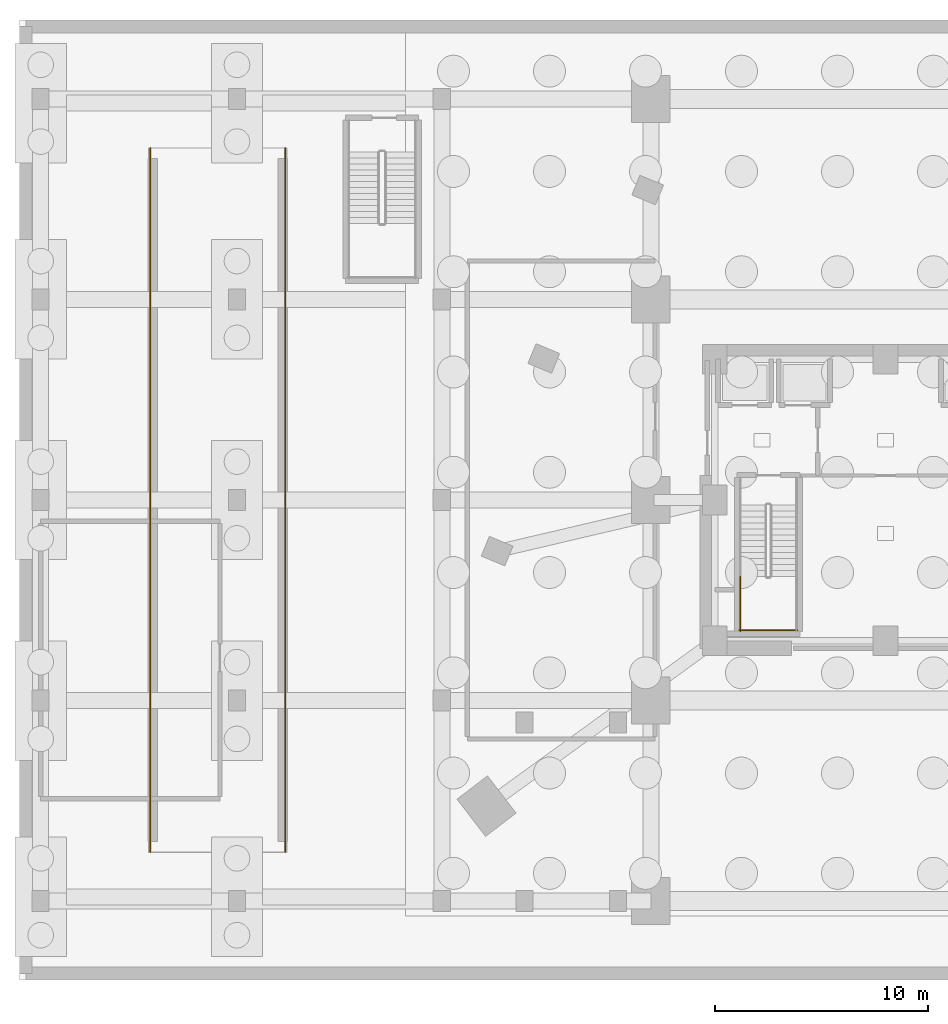
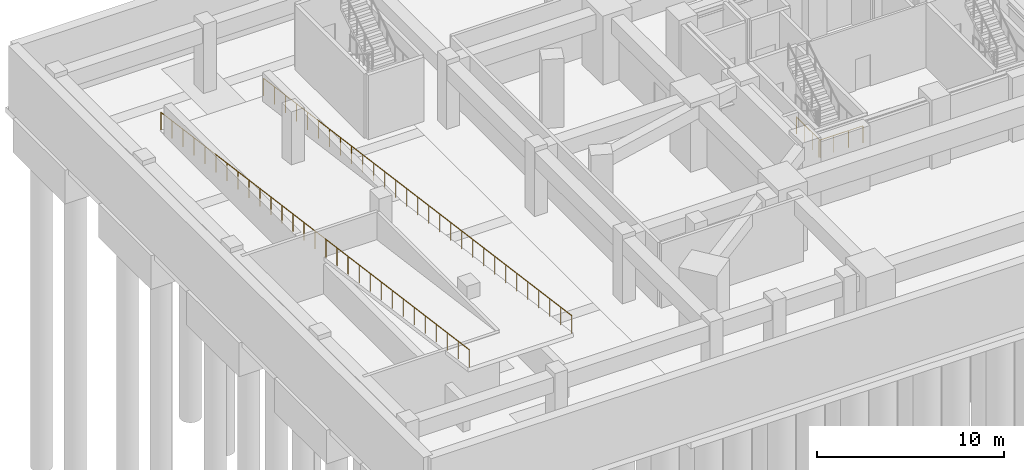
# One storey, part 6 of 10: 4 railings.
"""IFC4 building model written with IfcOpenShell, lengths in metres."""

from ifc_helpers import new_model, si_unit, direction, frame, origin, origin_2d, place, context, subcontext, project, spatial, circle, extrude, material, layer, layer_set, type_object, element, save


model = new_model("IFC4")

# Units and contexts
model_context = context("Model", 3, precision=1e-05, world=origin(), true_north=direction((0.0, 1.0)))
body_context = subcontext(model_context, "Body", "Model", "MODEL_VIEW")
ifc_project = project(units=[si_unit("LENGTHUNIT", "METRE"), si_unit("AREAUNIT", "SQUARE_METRE"), si_unit("VOLUMEUNIT", "CUBIC_METRE"), si_unit("PLANEANGLEUNIT", "RADIAN"), si_unit("MASSUNIT", "GRAM", prefix="KILO")], contexts=[model_context])

# Site, building, storey
site_placement = place(None, origin())
site = spatial("IfcSite", under=ifc_project, at=site_placement, CompositionType="ELEMENT")
building_placement = place(site_placement, origin())
building = spatial("IfcBuilding", under=site, at=building_placement, Name="Ndelora Gate Hotel", CompositionType="ELEMENT")
storey_placement = place(building_placement, frame((0.0, 0.0, -13.5)))
storey = spatial("IfcBuildingStorey", under=building, at=storey_placement, Name="B03", CompositionType="ELEMENT", Elevation=-13.5)

# Railings
ifc_material_1 = material(Name="Galvanized Crash-Rated Steel Guardrail", Category="steel")
ifc_layer_1 = layer(ifc_material_1, 0.080078125)
ifc_layer_set_1 = layer_set([ifc_layer_1], Name="Galvanized Crash-Rated Steel Guardrail")
railing_type_1 = type_object("IfcRailingType", Name="RL-RAMP-GD", PredefinedType="GUARDRAIL", material=ifc_layer_set_1)
railing_1_placement = place(storey_placement, frame((-34.469970703125, 16.5, 0.0)))
element("IfcRailing", 1, at=railing_1_placement, inside=storey, type_object=railing_type_1, Name="Vehicle Ramp R3 Crash Guardrail W", PredefinedType="GUARDRAIL", context=body_context, shape_type="SweptSolid", body=[
    extrude(circle(Radius=0.02392578125, at=origin_2d()), frame((0.0, 0.0, 1.15576171875), z_axis=(0.0, -0.990830168044, 0.135113204733), x_axis=(1.0, 0.0, 0.0)), (0.0, 0.0, 1.0), 33.305419921875),
    extrude(circle(Radius=0.02099609375, at=origin_2d()), origin(), (0.0, 0.0, 1.0), 1.1318359375),
    extrude(circle(Radius=0.02099609375, at=origin_2d()), frame((0.0, -1.178466796875, 0.16064453125)), (0.0, 0.0, 1.0), 1.1318359375),
    extrude(circle(Radius=0.02099609375, at=origin_2d()), frame((0.0, -2.357177734375, 0.321533203125)), (0.0, 0.0, 1.0), 1.1318359375),
    extrude(circle(Radius=0.02099609375, at=origin_2d()), frame((0.0, -3.53564453125, 0.482177734375)), (0.0, 0.0, 1.0), 1.1318359375),
    extrude(circle(Radius=0.02099609375, at=origin_2d()), frame((0.0, -4.71435546875, 0.642822265625)), (0.0, 0.0, 1.0), 1.1318359375),
    extrude(circle(Radius=0.02099609375, at=origin_2d()), frame((0.0, -5.892822265625, 0.803466796875)), (0.0, 0.0, 1.0), 1.1318359375),
    extrude(circle(Radius=0.02099609375, at=origin_2d()), frame((0.0, -7.071533203125, 0.96435546875)), (0.0, 0.0, 1.0), 1.1318359375),
    extrude(circle(Radius=0.02099609375, at=origin_2d()), frame((0.0, -8.25, 1.125)), (0.0, 0.0, 1.0), 1.1318359375),
    extrude(circle(Radius=0.02099609375, at=origin_2d()), frame((0.0, -9.428466796875, 1.28564453125)), (0.0, 0.0, 1.0), 1.1318359375),
    extrude(circle(Radius=0.02099609375, at=origin_2d()), frame((0.0, -10.607177734375, 1.446533203125)), (0.0, 0.0, 1.0), 1.1318359375),
    extrude(circle(Radius=0.02099609375, at=origin_2d()), frame((0.0, -11.78564453125, 1.607177734375)), (0.0, 0.0, 1.0), 1.1318359375),
    extrude(circle(Radius=0.02099609375, at=origin_2d()), frame((0.0, -12.96435546875, 1.767822265625)), (0.0, 0.0, 1.0), 1.1318359375),
    extrude(circle(Radius=0.02099609375, at=origin_2d()), frame((0.0, -14.142822265625, 1.928466796875)), (0.0, 0.0, 1.0), 1.1318359375),
    extrude(circle(Radius=0.02099609375, at=origin_2d()), frame((0.0, -15.321533203125, 2.08935546875)), (0.0, 0.0, 1.0), 1.1318359375),
    extrude(circle(Radius=0.02099609375, at=origin_2d()), frame((0.0, -16.5, 2.25)), (0.0, 0.0, 1.0), 1.1318359375),
    extrude(circle(Radius=0.02099609375, at=origin_2d()), frame((0.0, -17.678466796875, 2.41064453125)), (0.0, 0.0, 1.0), 1.1318359375),
    extrude(circle(Radius=0.02099609375, at=origin_2d()), frame((0.0, -18.857177734375, 2.571533203125)), (0.0, 0.0, 1.0), 1.1318359375),
    extrude(circle(Radius=0.02099609375, at=origin_2d()), frame((0.0, -20.03564453125, 2.732177734375)), (0.0, 0.0, 1.0), 1.1318359375),
    extrude(circle(Radius=0.02099609375, at=origin_2d()), frame((0.0, -21.21435546875, 2.892822265625)), (0.0, 0.0, 1.0), 1.1318359375),
    extrude(circle(Radius=0.02099609375, at=origin_2d()), frame((0.0, -22.392822265625, 3.053466796875)), (0.0, 0.0, 1.0), 1.1318359375),
    extrude(circle(Radius=0.02099609375, at=origin_2d()), frame((0.0, -23.571533203125, 3.21435546875)), (0.0, 0.0, 1.0), 1.1318359375),
    extrude(circle(Radius=0.02099609375, at=origin_2d()), frame((0.0, -24.75, 3.375)), (0.0, 0.0, 1.0), 1.1318359375),
    extrude(circle(Radius=0.02099609375, at=origin_2d()), frame((0.0, -25.928466796875, 3.53564453125)), (0.0, 0.0, 1.0), 1.1318359375),
    extrude(circle(Radius=0.02099609375, at=origin_2d()), frame((0.0, -27.107177734375, 3.696533203125)), (0.0, 0.0, 1.0), 1.1318359375),
    extrude(circle(Radius=0.02099609375, at=origin_2d()), frame((0.0, -28.28564453125, 3.857177734375)), (0.0, 0.0, 1.0), 1.1318359375),
    extrude(circle(Radius=0.02099609375, at=origin_2d()), frame((0.0, -29.46435546875, 4.017822265625)), (0.0, 0.0, 1.0), 1.1318359375),
    extrude(circle(Radius=0.02099609375, at=origin_2d()), frame((0.0, -30.642822265625, 4.178466796875)), (0.0, 0.0, 1.0), 1.1318359375),
    extrude(circle(Radius=0.02099609375, at=origin_2d()), frame((0.0, -31.821533203125, 4.33935546875)), (0.0, 0.0, 1.0), 1.1318359375),
    extrude(circle(Radius=0.02099609375, at=origin_2d()), frame((0.0, -33.0, 4.5)), (0.0, 0.0, 1.0), 1.1318359375),
])
railing_2_placement = place(storey_placement, frame((-28.1298828125, 16.5, 0.0)))
element("IfcRailing", 2, at=railing_2_placement, inside=storey, type_object=railing_type_1, Name="Vehicle Ramp R3 Crash Guardrail E", PredefinedType="GUARDRAIL", context=body_context, shape_type="SweptSolid", body=[
    extrude(circle(Radius=0.02392578125, at=origin_2d()), frame((0.0, 0.0, 1.15576171875), z_axis=(0.0, -0.990830168044, 0.135113204733), x_axis=(1.0, 0.0, 0.0)), (0.0, 0.0, 1.0), 33.305419921875),
    extrude(circle(Radius=0.02099609375, at=origin_2d()), origin(), (0.0, 0.0, 1.0), 1.1318359375),
    extrude(circle(Radius=0.02099609375, at=origin_2d()), frame((0.0, -1.178466796875, 0.16064453125)), (0.0, 0.0, 1.0), 1.1318359375),
    extrude(circle(Radius=0.02099609375, at=origin_2d()), frame((0.0, -2.357177734375, 0.321533203125)), (0.0, 0.0, 1.0), 1.1318359375),
    extrude(circle(Radius=0.02099609375, at=origin_2d()), frame((0.0, -3.53564453125, 0.482177734375)), (0.0, 0.0, 1.0), 1.1318359375),
    extrude(circle(Radius=0.02099609375, at=origin_2d()), frame((0.0, -4.71435546875, 0.642822265625)), (0.0, 0.0, 1.0), 1.1318359375),
    extrude(circle(Radius=0.02099609375, at=origin_2d()), frame((0.0, -5.892822265625, 0.803466796875)), (0.0, 0.0, 1.0), 1.1318359375),
    extrude(circle(Radius=0.02099609375, at=origin_2d()), frame((0.0, -7.071533203125, 0.96435546875)), (0.0, 0.0, 1.0), 1.1318359375),
    extrude(circle(Radius=0.02099609375, at=origin_2d()), frame((0.0, -8.25, 1.125)), (0.0, 0.0, 1.0), 1.1318359375),
    extrude(circle(Radius=0.02099609375, at=origin_2d()), frame((0.0, -9.428466796875, 1.28564453125)), (0.0, 0.0, 1.0), 1.1318359375),
    extrude(circle(Radius=0.02099609375, at=origin_2d()), frame((0.0, -10.607177734375, 1.446533203125)), (0.0, 0.0, 1.0), 1.1318359375),
    extrude(circle(Radius=0.02099609375, at=origin_2d()), frame((0.0, -11.78564453125, 1.607177734375)), (0.0, 0.0, 1.0), 1.1318359375),
    extrude(circle(Radius=0.02099609375, at=origin_2d()), frame((0.0, -12.96435546875, 1.767822265625)), (0.0, 0.0, 1.0), 1.1318359375),
    extrude(circle(Radius=0.02099609375, at=origin_2d()), frame((0.0, -14.142822265625, 1.928466796875)), (0.0, 0.0, 1.0), 1.1318359375),
    extrude(circle(Radius=0.02099609375, at=origin_2d()), frame((0.0, -15.321533203125, 2.08935546875)), (0.0, 0.0, 1.0), 1.1318359375),
    extrude(circle(Radius=0.02099609375, at=origin_2d()), frame((0.0, -16.5, 2.25)), (0.0, 0.0, 1.0), 1.1318359375),
    extrude(circle(Radius=0.02099609375, at=origin_2d()), frame((0.0, -17.678466796875, 2.41064453125)), (0.0, 0.0, 1.0), 1.1318359375),
    extrude(circle(Radius=0.02099609375, at=origin_2d()), frame((0.0, -18.857177734375, 2.571533203125)), (0.0, 0.0, 1.0), 1.1318359375),
    extrude(circle(Radius=0.02099609375, at=origin_2d()), frame((0.0, -20.03564453125, 2.732177734375)), (0.0, 0.0, 1.0), 1.1318359375),
    extrude(circle(Radius=0.02099609375, at=origin_2d()), frame((0.0, -21.21435546875, 2.892822265625)), (0.0, 0.0, 1.0), 1.1318359375),
    extrude(circle(Radius=0.02099609375, at=origin_2d()), frame((0.0, -22.392822265625, 3.053466796875)), (0.0, 0.0, 1.0), 1.1318359375),
    extrude(circle(Radius=0.02099609375, at=origin_2d()), frame((0.0, -23.571533203125, 3.21435546875)), (0.0, 0.0, 1.0), 1.1318359375),
    extrude(circle(Radius=0.02099609375, at=origin_2d()), frame((0.0, -24.75, 3.375)), (0.0, 0.0, 1.0), 1.1318359375),
    extrude(circle(Radius=0.02099609375, at=origin_2d()), frame((0.0, -25.928466796875, 3.53564453125)), (0.0, 0.0, 1.0), 1.1318359375),
    extrude(circle(Radius=0.02099609375, at=origin_2d()), frame((0.0, -27.107177734375, 3.696533203125)), (0.0, 0.0, 1.0), 1.1318359375),
    extrude(circle(Radius=0.02099609375, at=origin_2d()), frame((0.0, -28.28564453125, 3.857177734375)), (0.0, 0.0, 1.0), 1.1318359375),
    extrude(circle(Radius=0.02099609375, at=origin_2d()), frame((0.0, -29.46435546875, 4.017822265625)), (0.0, 0.0, 1.0), 1.1318359375),
    extrude(circle(Radius=0.02099609375, at=origin_2d()), frame((0.0, -30.642822265625, 4.178466796875)), (0.0, 0.0, 1.0), 1.1318359375),
    extrude(circle(Radius=0.02099609375, at=origin_2d()), frame((0.0, -31.821533203125, 4.33935546875)), (0.0, 0.0, 1.0), 1.1318359375),
    extrude(circle(Radius=0.02099609375, at=origin_2d()), frame((0.0, -33.0, 4.5)), (0.0, 0.0, 1.0), 1.1318359375),
])
ifc_material_2 = material(Name="Painted Galvanized Steel Balustrade", Category="steel")
ifc_layer_2 = layer(ifc_material_2, 0.06005859375)
ifc_layer_set_2 = layer_set([ifc_layer_2], Name="Painted Galvanized Steel Balustrade")
railing_type_2 = type_object("IfcRailingType", Name="RL-STAIR-GD", PredefinedType="GUARDRAIL", material=ifc_layer_set_2)
railing_3_placement = place(storey_placement, frame((-6.800048828125, -3.590087890625, 2.25)))
element("IfcRailing", 3, at=railing_3_placement, inside=storey, type_object=railing_type_2, Name="B03 ST4 stair guard 3", PredefinedType="GUARDRAIL", context=body_context, shape_type="SweptSolid", body=[
    extrude(circle(Radius=0.02392578125, at=origin_2d()), frame((0.0, 0.0, 1.10595703125), z_axis=(0.0, -1.0, 0.0), x_axis=(1.0, 0.0, 0.0)), (0.0, 0.0, 1.0), 2.559814453125),
    extrude(circle(Radius=0.02099609375, at=origin_2d()), origin(), (0.0, 0.0, 1.0), 1.081787109375),
    extrude(circle(Radius=0.02099609375, at=origin_2d()), frame((0.0, -0.853271484375, 0.0)), (0.0, 0.0, 1.0), 1.081787109375),
    extrude(circle(Radius=0.02099609375, at=origin_2d()), frame((0.0, -1.70654296875, 0.0)), (0.0, 0.0, 1.0), 1.081787109375),
    extrude(circle(Radius=0.02099609375, at=origin_2d()), frame((0.0, -2.559814453125, 0.0)), (0.0, 0.0, 1.0), 1.081787109375),
])
railing_4_placement = place(storey_placement, frame((-6.85009765625, -6.10009765625, 2.25)))
element("IfcRailing", 4, at=railing_4_placement, inside=storey, type_object=railing_type_2, Name="B03 ST4 stair guard 5", PredefinedType="GUARDRAIL", context=body_context, shape_type="SweptSolid", body=[
    extrude(circle(Radius=0.02392578125, at=origin_2d()), frame((0.0, 0.0, 1.10595703125), z_axis=(1.0, 0.0, 0.0), x_axis=(0.0, 1.0, 0.0)), (0.0, 0.0, 1.0), 2.72021484375),
    extrude(circle(Radius=0.02099609375, at=origin_2d()), origin(), (0.0, 0.0, 1.0), 1.081787109375),
    extrude(circle(Radius=0.02099609375, at=origin_2d()), frame((0.90673828125, 0.0, 0.0)), (0.0, 0.0, 1.0), 1.081787109375),
    extrude(circle(Radius=0.02099609375, at=origin_2d()), frame((1.8134765625, 0.0, 0.0)), (0.0, 0.0, 1.0), 1.081787109375),
    extrude(circle(Radius=0.02099609375, at=origin_2d()), frame((2.72021484375, 0.0, 0.0)), (0.0, 0.0, 1.0), 1.081787109375),
])

save(model, "model.ifc")
